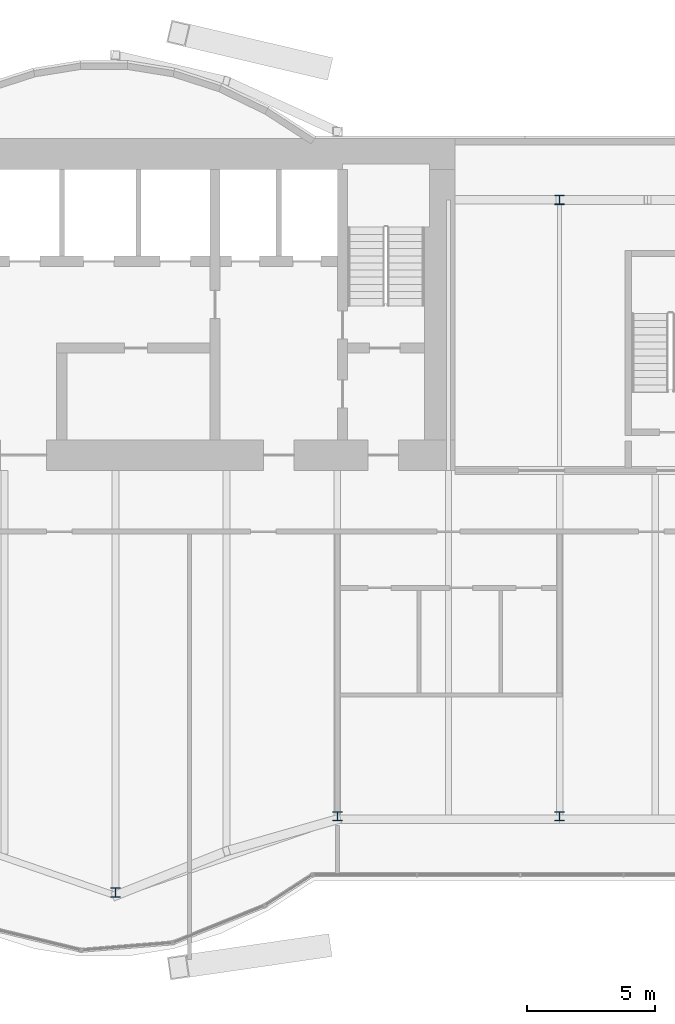
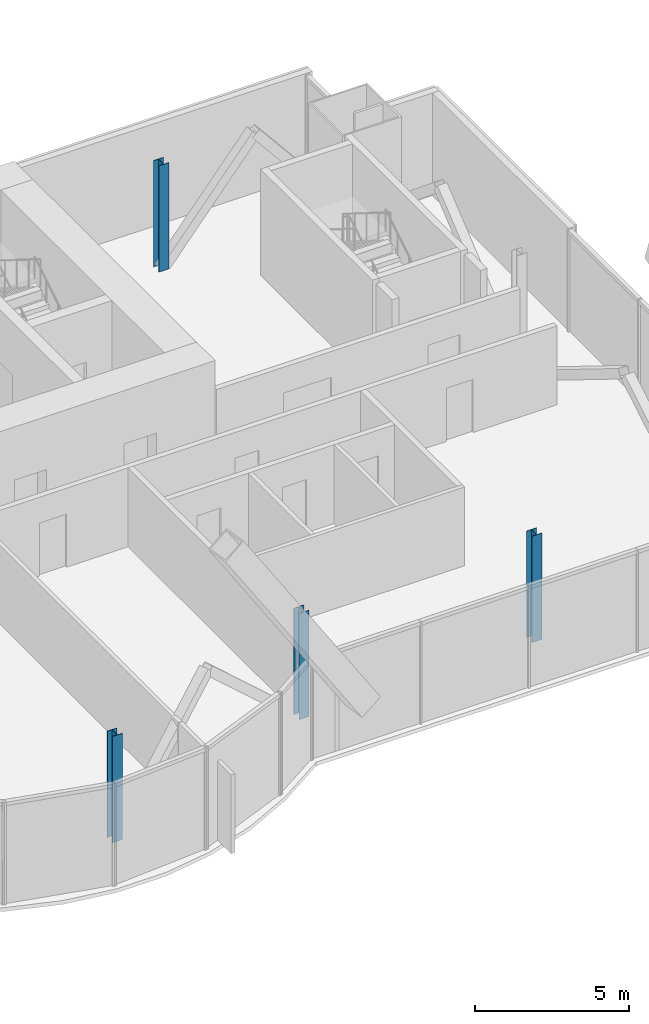
# One storey, part 2 of 23: 4 columns.
"""IFC4 building model written with IfcOpenShell, lengths in metres."""

from ifc_helpers import new_model, si_unit, direction, frame, origin, origin_2d, place, context, subcontext, project, spatial, i_section, extrude, material, material_profile, profile_set, type_object, element, save


model = new_model("IFC4")

# Units and contexts
model_context = context("Model", 3, precision=1e-05, world=origin(), true_north=direction((0.0, 1.0)))
body_context = subcontext(model_context, "Body", "Model", "MODEL_VIEW")
ifc_project = project(units=[si_unit("LENGTHUNIT", "METRE"), si_unit("AREAUNIT", "SQUARE_METRE"), si_unit("VOLUMEUNIT", "CUBIC_METRE"), si_unit("PLANEANGLEUNIT", "RADIAN"), si_unit("MASSUNIT", "GRAM", prefix="KILO")], contexts=[model_context])

# Site, building, storey
site_placement = place(None, origin())
site = spatial("IfcSite", under=ifc_project, at=site_placement, CompositionType="ELEMENT")
building_placement = place(site_placement, origin())
building = spatial("IfcBuilding", under=site, at=building_placement, Name="Bicima Exchange Tower", CompositionType="ELEMENT")
storey_placement = place(building_placement, frame((0.0, 0.0, 262.39990234375)))
storey = spatial("IfcBuildingStorey", under=building, at=storey_placement, Name="L59", CompositionType="ELEMENT", Elevation=262.39990234375)

# Columns
ifc_material = material(Name="Steel ASTM A992 Gr 50", Category="steel")
ifc_material_profile = material_profile(ifc_material, i_section(OverallWidth=0.370849609375, OverallDepth=0.36328125, WebThickness=0.013427734375, FlangeThickness=0.021728515625, at=origin_2d()))
ifc_profile_set = profile_set([ifc_material_profile], Name="Steel ASTM A992 Gr 50")
column_type = type_object("IfcColumnType", Name="Perimeter column W14x109", PredefinedType="COLUMN", material=ifc_profile_set)
for number, where, z_axis, x_axis, name in (
    (1, (8.699951171875, -29.537109375, 0.0), (0.0, 0.0, 1.0), (1.0, 0.0, 0.0), "Perimeter column grav+8.7f"),
    (2, (17.39990234375, -26.5458984375, 0.0), (0.0, 0.0, 1.0), (1.0, 0.0, 0.0), "Perimeter column grav+17.4f"),
    (3, (26.10009765625, -26.5458984375, 0.0), (0.0, 0.0, 1.0), (1.0, 0.0, 0.0), "Perimeter column grav+26.1f"),
    (4, (26.10009765625, -2.39990234375, 0.0), (0.0, 0.0, 1.0), (1.0, 0.0, 0.0), "Perimeter column grav+26.1r"),
):
    element("IfcColumn", number, at=place(storey_placement, frame(where, z_axis=z_axis, x_axis=x_axis)), inside=storey, type_object=column_type, Name=name, PredefinedType="COLUMN", context=body_context, shape_type="SweptSolid", body=[
        extrude(i_section(OverallWidth=0.370849609375, OverallDepth=0.36328125, WebThickness=0.013427734375, FlangeThickness=0.021728515625, at=origin_2d()), origin(), (0.0, 0.0, 1.0), 4.2001953125),
    ])

save(model, "model.ifc")
